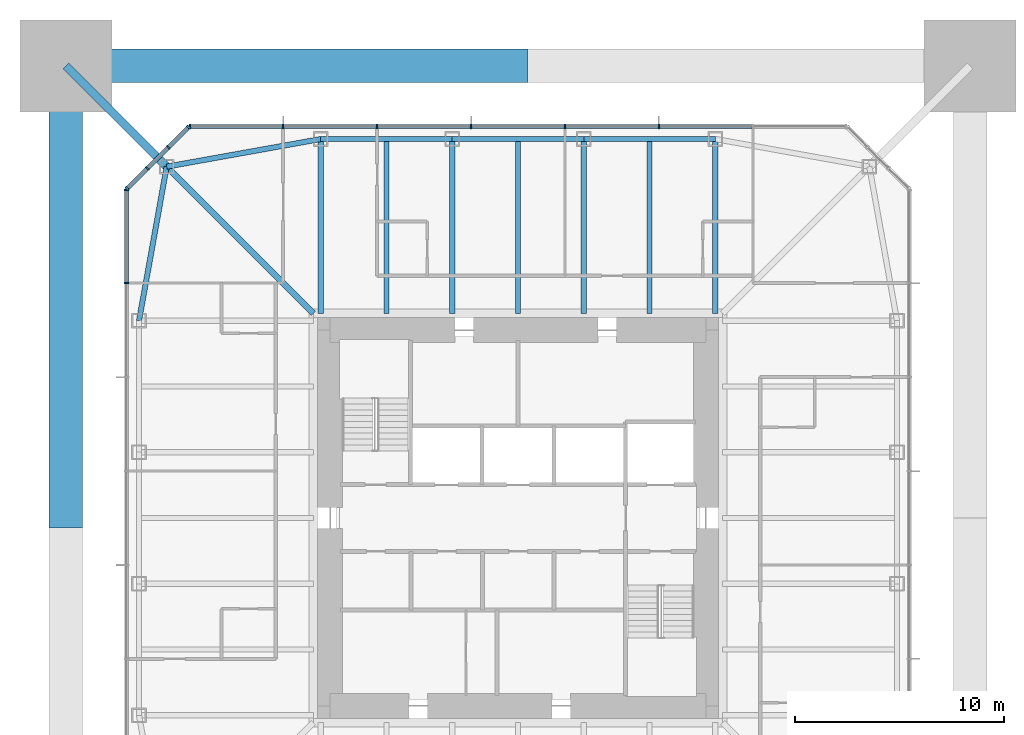
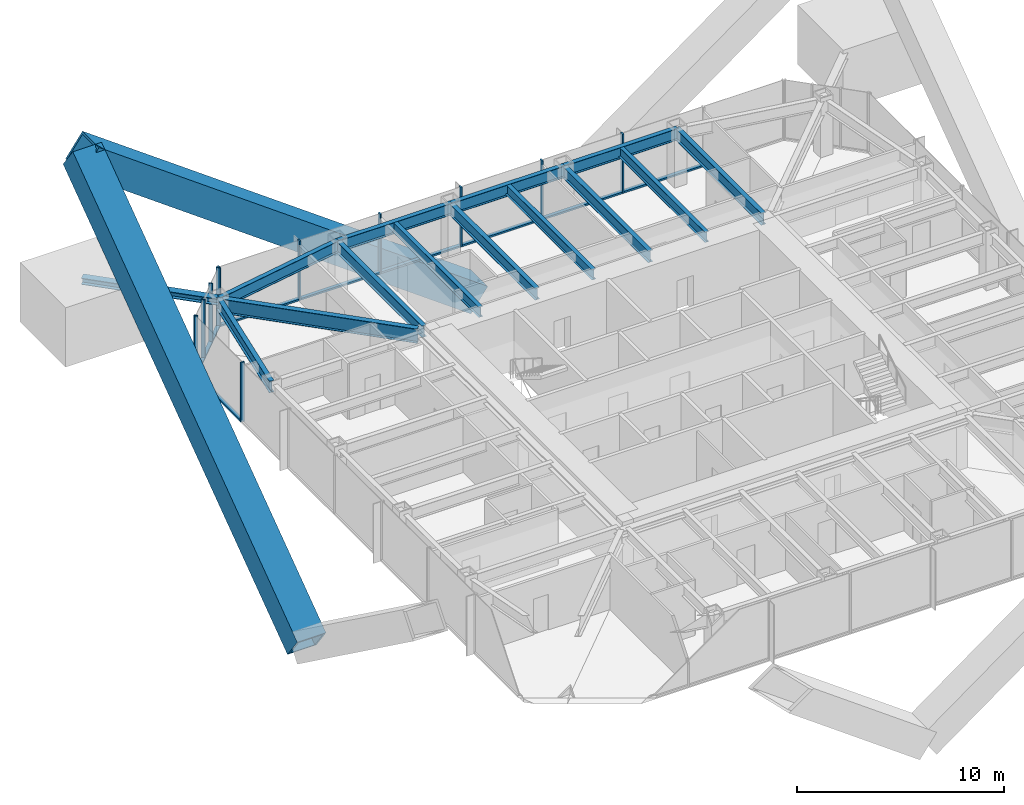
# One storey, part 5 of 13: 25 members, 13 beams, 3 elements without a shape of their own.
"""IFC4 building model written with IfcOpenShell, lengths in metres."""

from ifc_helpers import new_model, si_unit, direction, frame, origin, origin_2d, place, context, subcontext, project, spatial, rectangle, hollow_rectangle, i_section, extrude, material, material_profile, profile_set, type_object, element, aggregate, save


model = new_model("IFC4")

# Units and contexts
model_context = context("Model", 3, precision=1e-05, world=origin(), true_north=direction((0.0, 1.0)))
body_context = subcontext(model_context, "Body", "Model", "MODEL_VIEW")
ifc_project = project(units=[si_unit("LENGTHUNIT", "METRE"), si_unit("AREAUNIT", "SQUARE_METRE"), si_unit("VOLUMEUNIT", "CUBIC_METRE"), si_unit("PLANEANGLEUNIT", "RADIAN"), si_unit("MASSUNIT", "GRAM", prefix="KILO")], contexts=[model_context])

# Site, building, storey
site_placement = place(None, origin())
site = spatial("IfcSite", under=ifc_project, at=site_placement, CompositionType="ELEMENT")
building_placement = place(site_placement, origin())
building = spatial("IfcBuilding", under=site, at=building_placement, Name="Iwan Alto Co-Living Towers", CompositionType="ELEMENT")
storey_placement = place(building_placement, frame((0.0, 0.0, 198.5)))
storey = spatial("IfcBuildingStorey", under=building, at=storey_placement, Name="L54", CompositionType="ELEMENT", Elevation=198.5)

# Curtain wall, members
ifc_material_1 = material(Name="Bronze aluminium unitised frame", Category="aluminium")
curtain_wall_type_1 = type_object("IfcCurtainWallType", Name="CURTAIN WALL CW-A", PredefinedType="NOTDEFINED", material=ifc_material_1)
curtain_wall_1_placement = place(storey_placement, origin())
curtain_wall_1 = element("IfcCurtainWall", 1, at=curtain_wall_1_placement, inside=storey, type_object=curtain_wall_type_1, Name="T1 curtain wall N L54", PredefinedType="NOTDEFINED")
ifc_material_2 = material(Name="Aluminium 6063-T6 bronze anodised", Category="aluminium")
ifc_material_profile_1 = material_profile(ifc_material_2, rectangle(XDim=0.199951171875, YDim=0.080078125, at=origin_2d()), Name="AL 80X200")
ifc_profile_set_1 = profile_set([ifc_material_profile_1], Name="Aluminium 6063-T6 bronze anodised")
member_type_1 = type_object("IfcMemberType", Name="CW-A MULLION 80X200", PredefinedType="MULLION", material=ifc_profile_set_1)
member_1_placement = place(storey_placement, frame((6.75, 18.75, 0.0), z_axis=(0.0, 0.0, 1.0), x_axis=(0.0, -1.0, 0.0)))
member_1 = element("IfcMember", 2, at=member_1_placement, type_object=member_type_1, Name="CW-A mullion 3", PredefinedType="MULLION", context=body_context, shape_type="SweptSolid", body=[
    extrude(rectangle(XDim=0.199951171875, YDim=0.080078125, at=origin_2d()), origin(), (0.0, 0.0, 1.0), 3.5),
])
member_2_placement = place(storey_placement, frame((2.25, 18.75, 0.0), z_axis=(0.0, 0.0, 1.0), x_axis=(0.0, -1.0, 0.0)))
member_2 = element("IfcMember", 3, at=member_2_placement, type_object=member_type_1, Name="CW-A mullion 4", PredefinedType="MULLION", context=body_context, shape_type="SweptSolid", body=[
    extrude(rectangle(XDim=0.199951171875, YDim=0.080078125, at=origin_2d()), origin(), (0.0, 0.0, 1.0), 3.5),
])
member_3_placement = place(storey_placement, frame((-2.25, 18.75, 0.0), z_axis=(0.0, 0.0, 1.0), x_axis=(0.0, -1.0, 0.0)))
member_3 = element("IfcMember", 4, at=member_3_placement, type_object=member_type_1, Name="CW-A mullion 5", PredefinedType="MULLION", context=body_context, shape_type="SweptSolid", body=[
    extrude(rectangle(XDim=0.199951171875, YDim=0.080078125, at=origin_2d()), origin(), (0.0, 0.0, 1.0), 3.5),
])
member_4_placement = place(storey_placement, frame((-6.75, 18.75, 0.0), z_axis=(0.0, 0.0, 1.0), x_axis=(0.0, -1.0, 0.0)))
member_4 = element("IfcMember", 5, at=member_4_placement, type_object=member_type_1, Name="CW-A mullion 6", PredefinedType="MULLION", context=body_context, shape_type="SweptSolid", body=[
    extrude(rectangle(XDim=0.199951171875, YDim=0.080078125, at=origin_2d()), origin(), (0.0, 0.0, 1.0), 3.5),
])
member_5_placement = place(storey_placement, frame((-11.25, 18.75, 0.0), z_axis=(0.0, 0.0, 1.0), x_axis=(0.0, -1.0, 0.0)))
member_5 = element("IfcMember", 6, at=member_5_placement, type_object=member_type_1, Name="CW-A mullion 7", PredefinedType="MULLION", context=body_context, shape_type="SweptSolid", body=[
    extrude(rectangle(XDim=0.199951171875, YDim=0.080078125, at=origin_2d()), origin(), (0.0, 0.0, 1.0), 3.5),
])
member_6_placement = place(storey_placement, frame((-15.7099609375, 18.75, 0.0), z_axis=(0.0, 0.0, 1.0), x_axis=(0.0, -1.0, 0.0)))
member_6 = element("IfcMember", 7, at=member_6_placement, type_object=member_type_1, Name="CW-A mullion 8", PredefinedType="MULLION", context=body_context, shape_type="SweptSolid", body=[
    extrude(rectangle(XDim=0.199951171875, YDim=0.080078125, at=origin_2d()), origin(), (0.0, 0.0, 1.0), 3.5),
])

curtain_wall_2_placement = place(storey_placement, origin())
curtain_wall_2 = element("IfcCurtainWall", 8, at=curtain_wall_2_placement, inside=storey, type_object=curtain_wall_type_1, Name="T1 curtain wall W L54", PredefinedType="NOTDEFINED")
member_7_placement = place(storey_placement, frame((-18.75, 15.7099609375, 0.0), z_axis=(0.0, 0.0, 1.0), x_axis=(1.0, 0.0, 0.0)))
member_7 = element("IfcMember", 9, at=member_7_placement, type_object=member_type_1, Name="CW-A mullion 1", PredefinedType="MULLION", context=body_context, shape_type="SweptSolid", body=[
    extrude(rectangle(XDim=0.199951171875, YDim=0.080078125, at=origin_2d()), origin(), (0.0, 0.0, 1.0), 3.5),
])
member_8_placement = place(storey_placement, frame((-18.75, 11.25, 0.0), z_axis=(0.0, 0.0, 1.0), x_axis=(1.0, 0.0, 0.0)))
member_8 = element("IfcMember", 10, at=member_8_placement, type_object=member_type_1, Name="CW-A mullion 2", PredefinedType="MULLION", context=body_context, shape_type="SweptSolid", body=[
    extrude(rectangle(XDim=0.199951171875, YDim=0.080078125, at=origin_2d()), origin(), (0.0, 0.0, 1.0), 3.5),
])

# Member
ifc_material_3 = material(Name="Aluminium 6063-T6 bronze anodised", Category="aluminium")
ifc_material_profile_2 = material_profile(ifc_material_3, rectangle(XDim=0.199951171875, YDim=0.10009765625, at=origin_2d()), Name="AL 200X100")
ifc_profile_set_2 = profile_set([ifc_material_profile_2], Name="Aluminium 6063-T6 bronze anodised")
member_type_2 = type_object("IfcMemberType", Name="CW-A TRANSOM 200X100", PredefinedType="USERDEFINED", material=ifc_profile_set_2)
member_9_placement = place(storey_placement, frame((11.2099609375, 18.75, 0.050048828125), z_axis=(-1.0, 0.0, 0.0), x_axis=(0.0, -1.0, 0.0)))
member_9 = element("IfcMember", 11, at=member_9_placement, type_object=member_type_2, Name="CW-A transom 2.1", ObjectType="TRANSOM", PredefinedType="USERDEFINED", context=body_context, shape_type="SweptSolid", body=[
    extrude(rectangle(XDim=0.199951171875, YDim=0.10009765625, at=origin_2d()), origin(), (0.0, 0.0, 1.0), 4.419921875),
])

member_10_placement = place(storey_placement, frame((6.7099609375, 18.75, 0.050048828125), z_axis=(-1.0, 0.0, 0.0), x_axis=(0.0, -1.0, 0.0)))
member_10 = element("IfcMember", 12, at=member_10_placement, type_object=member_type_2, Name="CW-A transom 3.1", ObjectType="TRANSOM", PredefinedType="USERDEFINED", context=body_context, shape_type="SweptSolid", body=[
    extrude(rectangle(XDim=0.199951171875, YDim=0.10009765625, at=origin_2d()), origin(), (0.0, 0.0, 1.0), 4.419921875),
])

member_11_placement = place(storey_placement, frame((2.2099609375, 18.75, 0.050048828125), z_axis=(-1.0, 0.0, 0.0), x_axis=(0.0, -1.0, 0.0)))
member_11 = element("IfcMember", 13, at=member_11_placement, type_object=member_type_2, Name="CW-A transom 4.1", ObjectType="TRANSOM", PredefinedType="USERDEFINED", context=body_context, shape_type="SweptSolid", body=[
    extrude(rectangle(XDim=0.199951171875, YDim=0.10009765625, at=origin_2d()), origin(), (0.0, 0.0, 1.0), 4.419921875),
])

member_12_placement = place(storey_placement, frame((-2.2900390625, 18.75, 0.050048828125), z_axis=(-1.0, 0.0, 0.0), x_axis=(0.0, -1.0, 0.0)))
member_12 = element("IfcMember", 14, at=member_12_placement, type_object=member_type_2, Name="CW-A transom 5.1", ObjectType="TRANSOM", PredefinedType="USERDEFINED", context=body_context, shape_type="SweptSolid", body=[
    extrude(rectangle(XDim=0.199951171875, YDim=0.10009765625, at=origin_2d()), origin(), (0.0, 0.0, 1.0), 4.419921875),
])

member_13_placement = place(storey_placement, frame((-6.7900390625, 18.75, 0.050048828125), z_axis=(-1.0, 0.0, 0.0), x_axis=(0.0, -1.0, 0.0)))
member_13 = element("IfcMember", 15, at=member_13_placement, type_object=member_type_2, Name="CW-A transom 6.1", ObjectType="TRANSOM", PredefinedType="USERDEFINED", context=body_context, shape_type="SweptSolid", body=[
    extrude(rectangle(XDim=0.199951171875, YDim=0.10009765625, at=origin_2d()), origin(), (0.0, 0.0, 1.0), 4.419921875),
])

member_14_placement = place(storey_placement, frame((-11.2900390625, 18.75, 0.050048828125), z_axis=(-1.0, 0.0, 0.0), x_axis=(0.0, -1.0, 0.0)))
member_14 = element("IfcMember", 16, at=member_14_placement, type_object=member_type_2, Name="CW-A transom 7.1", ObjectType="TRANSOM", PredefinedType="USERDEFINED", context=body_context, shape_type="SweptSolid", body=[
    extrude(rectangle(XDim=0.199951171875, YDim=0.10009765625, at=origin_2d()), origin(), (0.0, 0.0, 1.0), 4.3798828125),
])

aggregate(curtain_wall_1, [member_1, member_2, member_3, member_4, member_5, member_6, member_9, member_10, member_11, member_12, member_13, member_14])

member_15_placement = place(storey_placement, frame((-18.75, 15.669921875, 0.050048828125), z_axis=(0.0, -1.0, 0.0), x_axis=(1.0, 0.0, 0.0)))
member_15 = element("IfcMember", 17, at=member_15_placement, type_object=member_type_2, Name="CW-A transom 1.1", ObjectType="TRANSOM", PredefinedType="USERDEFINED", context=body_context, shape_type="SweptSolid", body=[
    extrude(rectangle(XDim=0.199951171875, YDim=0.10009765625, at=origin_2d()), origin(), (0.0, 0.0, 1.0), 4.3798828125),
])

aggregate(curtain_wall_2, [member_7, member_8, member_15])

# Curtain wall, members
ifc_material_4 = material(Name="Bronze aluminium unitised frame", Category="aluminium")
curtain_wall_type_2 = type_object("IfcCurtainWallType", Name="CURTAIN WALL CW-B", PredefinedType="NOTDEFINED", material=ifc_material_4)
curtain_wall_3_placement = place(storey_placement, origin())
curtain_wall_3 = element("IfcCurtainWall", 18, at=curtain_wall_3_placement, inside=storey, type_object=curtain_wall_type_2, Name="T1 chamfer curtain wall NW L54", PredefinedType="NOTDEFINED")
ifc_material_5 = material(Name="Aluminium 6063-T6 bronze anodised", Category="aluminium")
ifc_material_profile_3 = material_profile(ifc_material_5, rectangle(XDim=0.199951171875, YDim=0.080078125, at=origin_2d()), Name="AL 80X200")
ifc_profile_set_3 = profile_set([ifc_material_profile_3], Name="Aluminium 6063-T6 bronze anodised")
member_type_3 = type_object("IfcMemberType", Name="CW-B MULLION 80X200", PredefinedType="MULLION", material=ifc_profile_set_3)
member_16_placement = place(storey_placement, frame((-15.7783203125, 18.7216796875, 0.0), z_axis=(0.0, 0.0, 1.0), x_axis=(0.707106781187, -0.707106781187, 0.0)))
member_16 = element("IfcMember", 19, at=member_16_placement, type_object=member_type_3, Name="CW-B mullion 1", PredefinedType="MULLION", context=body_context, shape_type="SweptSolid", body=[
    extrude(rectangle(XDim=0.199951171875, YDim=0.080078125, at=origin_2d()), origin(), (0.0, 0.0, 1.0), 3.5),
])
member_17_placement = place(storey_placement, frame((-16.75, 17.75, 0.0), z_axis=(0.0, 0.0, 1.0), x_axis=(0.707106781187, -0.707106781187, 0.0)))
member_17 = element("IfcMember", 20, at=member_17_placement, type_object=member_type_3, Name="CW-B mullion 2", PredefinedType="MULLION", context=body_context, shape_type="SweptSolid", body=[
    extrude(rectangle(XDim=0.199951171875, YDim=0.080078125, at=origin_2d()), origin(), (0.0, 0.0, 1.0), 3.5),
])
member_18_placement = place(storey_placement, frame((-17.75, 16.75, 0.0), z_axis=(0.0, 0.0, 1.0), x_axis=(0.707106781187, -0.707106781187, 0.0)))
member_18 = element("IfcMember", 21, at=member_18_placement, type_object=member_type_3, Name="CW-B mullion 3", PredefinedType="MULLION", context=body_context, shape_type="SweptSolid", body=[
    extrude(rectangle(XDim=0.199951171875, YDim=0.080078125, at=origin_2d()), origin(), (0.0, 0.0, 1.0), 3.5),
])
member_19_placement = place(storey_placement, frame((-18.7216796875, 15.7783203125, 0.0), z_axis=(0.0, 0.0, 1.0), x_axis=(0.707106781187, -0.707106781187, 0.0)))
member_19 = element("IfcMember", 22, at=member_19_placement, type_object=member_type_3, Name="CW-B mullion 4", PredefinedType="MULLION", context=body_context, shape_type="SweptSolid", body=[
    extrude(rectangle(XDim=0.199951171875, YDim=0.080078125, at=origin_2d()), origin(), (0.0, 0.0, 1.0), 3.5),
])
ifc_material_6 = material(Name="Aluminium 6063-T6 bronze anodised", Category="aluminium")
ifc_material_profile_4 = material_profile(ifc_material_6, rectangle(XDim=0.199951171875, YDim=0.10009765625, at=origin_2d()), Name="AL 200X100")
ifc_profile_set_4 = profile_set([ifc_material_profile_4], Name="Aluminium 6063-T6 bronze anodised")
member_type_4 = type_object("IfcMemberType", Name="CW-B TRANSOM 200X100", PredefinedType="USERDEFINED", material=ifc_profile_set_4)
member_20_placement = place(storey_placement, frame((-15.806640625, 18.693359375, 0.050048828125), z_axis=(-0.707106781187, -0.707106781187, 0.0), x_axis=(0.707106781187, -0.707106781187, 0.0)))
member_20 = element("IfcMember", 23, at=member_20_placement, type_object=member_type_4, Name="CW-B transom 1.1", ObjectType="TRANSOM", PredefinedType="USERDEFINED", context=body_context, shape_type="SweptSolid", body=[
    extrude(rectangle(XDim=0.199951171875, YDim=0.10009765625, at=origin_2d()), origin(), (0.0, 0.0, 1.0), 1.2939453125),
])
member_21_placement = place(storey_placement, frame((-16.7783203125, 17.7216796875, 0.050048828125), z_axis=(-0.707106781187, -0.707106781187, 0.0), x_axis=(0.707106781187, -0.707106781187, 0.0)))
member_21 = element("IfcMember", 24, at=member_21_placement, type_object=member_type_4, Name="CW-B transom 2.1", ObjectType="TRANSOM", PredefinedType="USERDEFINED", context=body_context, shape_type="SweptSolid", body=[
    extrude(rectangle(XDim=0.199951171875, YDim=0.10009765625, at=origin_2d()), origin(), (0.0, 0.0, 1.0), 1.334228515625),
])
member_22_placement = place(storey_placement, frame((-17.7783203125, 16.7216796875, 0.050048828125), z_axis=(-0.707106781187, -0.707106781187, 0.0), x_axis=(0.707106781187, -0.707106781187, 0.0)))
member_22 = element("IfcMember", 25, at=member_22_placement, type_object=member_type_4, Name="CW-B transom 3.1", ObjectType="TRANSOM", PredefinedType="USERDEFINED", context=body_context, shape_type="SweptSolid", body=[
    extrude(rectangle(XDim=0.199951171875, YDim=0.10009765625, at=origin_2d()), origin(), (0.0, 0.0, 1.0), 1.2939453125),
])
aggregate(curtain_wall_3, [member_16, member_17, member_18, member_19, member_20, member_21, member_22])

# Beams
ifc_material_7 = material(Name="Steel ASTM A992 Gr 50", Category="steel")
ifc_material_profile_5 = material_profile(ifc_material_7, i_section(OverallWidth=0.2919921875, OverallDepth=0.8408203125, WebThickness=0.0146484375, FlangeThickness=0.021728515625, at=origin_2d()), Name="W33X130")
ifc_profile_set_5 = profile_set([ifc_material_profile_5], Name="Steel ASTM A992 Gr 50")
beam_type_1 = type_object("IfcBeamType", Name="T1 CORNER GIRDER W33X130", PredefinedType="BEAM", material=ifc_profile_set_5)
beam_1_placement = place(storey_placement, frame((-16.82568359375, 16.82568359375, 2.849609375), z_axis=(0.707106781187, -0.707106781187, 0.0), x_axis=(0.707106781187, 0.707106781187, 0.0)))
element("IfcBeam", 26, at=beam_1_placement, inside=storey, type_object=beam_type_1, Name="T1 corner girder CNW L55", PredefinedType="BEAM", context=body_context, shape_type="SweptSolid", body=[
    extrude(i_section(OverallWidth=0.2919921875, OverallDepth=0.8408203125, WebThickness=0.0146484375, FlangeThickness=0.021728515625, at=origin_2d()), origin(), (0.0, 0.0, 1.0), 9.936767578125),
])
ifc_material_8 = material(Name="Steel ASTM A992 Gr 50", Category="steel")
ifc_material_profile_6 = material_profile(ifc_material_8, i_section(OverallWidth=0.25390625, OverallDepth=0.683349609375, WebThickness=0.012451171875, FlangeThickness=0.018798828125, at=origin_2d()), Name="W27X94")
ifc_profile_set_6 = profile_set([ifc_material_profile_6], Name="Steel ASTM A992 Gr 50")
beam_type_2 = type_object("IfcBeamType", Name="T1 EDGE BEAM W27X94", PredefinedType="BEAM", material=ifc_profile_set_6)
beam_2_placement = place(storey_placement, frame((9.449951171875, 18.14990234375, 2.928466796875), z_axis=(-1.0, 0.0, 0.0), x_axis=(0.0, -1.0, 0.0)))
element("IfcBeam", 27, at=beam_2_placement, inside=storey, type_object=beam_type_2, Name="T1 edge beam N1 L55", PredefinedType="BEAM", context=body_context, shape_type="SweptSolid", body=[
    extrude(i_section(OverallWidth=0.25390625, OverallDepth=0.683349609375, WebThickness=0.012451171875, FlangeThickness=0.018798828125, at=origin_2d()), origin(), (0.0, 0.0, 1.0), 6.300048828125),
])
beam_3_placement = place(storey_placement, frame((3.14990234375, 18.14990234375, 2.928466796875), z_axis=(-1.0, 0.0, 0.0), x_axis=(0.0, -1.0, 0.0)))
element("IfcBeam", 28, at=beam_3_placement, inside=storey, type_object=beam_type_2, Name="T1 edge beam N2 L55", PredefinedType="BEAM", context=body_context, shape_type="SweptSolid", body=[
    extrude(i_section(OverallWidth=0.25390625, OverallDepth=0.683349609375, WebThickness=0.012451171875, FlangeThickness=0.018798828125, at=origin_2d()), origin(), (0.0, 0.0, 1.0), 6.2998046875),
])
beam_4_placement = place(storey_placement, frame((-3.14990234375, 18.14990234375, 2.928466796875), z_axis=(-1.0, 0.0, 0.0), x_axis=(0.0, -1.0, 0.0)))
element("IfcBeam", 29, at=beam_4_placement, inside=storey, type_object=beam_type_2, Name="T1 edge beam N3 L55", PredefinedType="BEAM", context=body_context, shape_type="SweptSolid", body=[
    extrude(i_section(OverallWidth=0.25390625, OverallDepth=0.683349609375, WebThickness=0.012451171875, FlangeThickness=0.018798828125, at=origin_2d()), origin(), (0.0, 0.0, 1.0), 6.300048828125),
])
for number, where, z_axis, x_axis, name in (
    (30, (-9.449951171875, 18.14990234375, 2.928466796875), (-0.98426263553, -0.17671181143, 0.0), (0.17671181143, -0.98426263553, 0.0), "T1 edge beam N4 L55"),
    (31, (-16.82568359375, 16.82568359375, 2.928466796875), (-0.17671181143, -0.98426263553, 0.0), (0.98426263553, -0.17671181143, 0.0), "T1 edge beam CNW L55"),
):
    element("IfcBeam", number, at=place(storey_placement, frame(where, z_axis=z_axis, x_axis=x_axis)), inside=storey, type_object=beam_type_2, Name=name, PredefinedType="BEAM", context=body_context, shape_type="SweptSolid", body=[
        extrude(i_section(OverallWidth=0.25390625, OverallDepth=0.683349609375, WebThickness=0.012451171875, FlangeThickness=0.018798828125, at=origin_2d()), origin(), (0.0, 0.0, 1.0), 7.49365234375),
    ])

# Members
ifc_material_9 = material(Name="Steel ASTM A572 Gr 42", Category="steel")
ifc_material_profile_7 = material_profile(ifc_material_9, hollow_rectangle(XDim=1.60009765625, YDim=1.60009765625, WallThickness=0.1201171875, at=origin_2d()), Name="BOX 1600X1600X120")
ifc_profile_set_7 = profile_set([ifc_material_profile_7], Name="Steel ASTM A572 Gr 42")
member_type_5 = type_object("IfcMemberType", Name="T1 MEGA BRACE BOX 1600X1600X120", PredefinedType="BRACE", material=ifc_profile_set_7)
for number, where, z_axis, x_axis, name in (
    (32, (0.0, 21.64990234375, -5.25), (-0.808654054795, 0.0, 0.588284471717), (0.0, -1.0, 0.0), "T1 mega brace Z3B N 1 upper"),
    (33, (-21.64990234375, 0.0, -5.25), (0.0, 0.808654054795, 0.588284471717), (-1.0, 0.0, 0.0), "T1 mega brace Z3B W 2 upper"),
):
    element("IfcMember", number, at=place(storey_placement, frame(where, z_axis=z_axis, x_axis=x_axis)), inside=storey, type_object=member_type_5, Name=name, PredefinedType="BRACE", context=body_context, shape_type="SweptSolid", body=[
        extrude(hollow_rectangle(XDim=1.60009765625, YDim=1.60009765625, WallThickness=0.1201171875, at=origin_2d()), origin(), (0.0, 0.0, 1.0), 26.772705078125),
    ])
ifc_material_10 = material(Name="Steel ASTM A992 Gr 50", Category="steel")
ifc_material_profile_8 = material_profile(ifc_material_10, i_section(OverallWidth=0.393798828125, OverallDepth=0.3759765625, WebThickness=0.017333984375, FlangeThickness=0.027587890625, at=origin_2d()), Name="W14X145")
ifc_profile_set_8 = profile_set([ifc_material_profile_8], Name="Steel ASTM A992 Gr 50")
member_type_6 = type_object("IfcMemberType", Name="T1 MEGA COLUMN FLOOR TIE W14X145", PredefinedType="STRUT", material=ifc_profile_set_8)
member_23_placement = place(storey_placement, frame((-21.64990234375, 21.64990234375, 3.08203125), z_axis=(0.707106781187, -0.707106781187, 0.0), x_axis=(0.707106781187, 0.707106781187, 0.0)))
element("IfcMember", 34, at=member_23_placement, inside=storey, type_object=member_type_6, Name="T1 mega column floor tie NW L55", PredefinedType="STRUT", context=body_context, shape_type="SweptSolid", body=[
    extrude(i_section(OverallWidth=0.393798828125, OverallDepth=0.3759765625, WebThickness=0.017333984375, FlangeThickness=0.027587890625, at=origin_2d()), origin(), (0.0, 0.0, 1.0), 6.822509765625),
])

# Beams
ifc_material_11 = material(Name="Steel ASTM A992 Gr 50", Category="steel")
ifc_material_profile_9 = material_profile(ifc_material_11, i_section(OverallWidth=0.25390625, OverallDepth=0.683349609375, WebThickness=0.012451171875, FlangeThickness=0.018798828125, at=origin_2d()), Name="W27X94")
ifc_profile_set_9 = profile_set([ifc_material_profile_9], Name="Steel ASTM A992 Gr 50")
beam_type_3 = type_object("IfcBeamType", Name="T1 RADIAL BEAM W27X94", PredefinedType="BEAM", material=ifc_profile_set_9)
for number, where, z_axis, x_axis, name in (
    (35, (9.449951171875, 18.14990234375, 2.928466796875), (0.0, -1.0, 0.0), (1.0, 0.0, 0.0), "T1 radial beam N1 L55"),
    (36, (3.14990234375, 18.14990234375, 2.928466796875), (0.0, -1.0, 0.0), (1.0, 0.0, 0.0), "T1 radial beam N2 L55"),
    (37, (-3.14990234375, 18.14990234375, 2.928466796875), (0.0, -1.0, 0.0), (1.0, 0.0, 0.0), "T1 radial beam N3 L55"),
    (38, (-9.449951171875, 18.14990234375, 2.928466796875), (0.0, -1.0, 0.0), (1.0, 0.0, 0.0), "T1 radial beam N4 L55"),
):
    element("IfcBeam", number, at=place(storey_placement, frame(where, z_axis=z_axis, x_axis=x_axis)), inside=storey, type_object=beam_type_3, Name=name, PredefinedType="BEAM", context=body_context, shape_type="SweptSolid", body=[
        extrude(i_section(OverallWidth=0.25390625, OverallDepth=0.683349609375, WebThickness=0.012451171875, FlangeThickness=0.018798828125, at=origin_2d()), origin(), (0.0, 0.0, 1.0), 8.3505859375),
    ])
ifc_material_12 = material(Name="Steel ASTM A992 Gr 50", Category="steel")
ifc_material_profile_10 = material_profile(ifc_material_12, i_section(OverallWidth=0.228271484375, OverallDepth=0.607177734375, WebThickness=0.01123046875, FlangeThickness=0.017333984375, at=origin_2d()), Name="W24X76")
ifc_profile_set_10 = profile_set([ifc_material_profile_10], Name="Steel ASTM A992 Gr 50")
beam_type_4 = type_object("IfcBeamType", Name="T1 SECONDARY BEAM W24X76", PredefinedType="JOIST", material=ifc_profile_set_10)
for number, where, z_axis, x_axis, name in (
    (39, (6.300048828125, 18.14990234375, 2.966552734375), (0.0, -1.0, 0.0), (1.0, 0.0, 0.0), "T1 secondary beam N1 L55"),
    (40, (0.0, 18.14990234375, 2.966552734375), (0.0, -1.0, 0.0), (1.0, 0.0, 0.0), "T1 secondary beam N2 L55"),
    (41, (-6.300048828125, 18.14990234375, 2.966552734375), (0.0, -1.0, 0.0), (1.0, 0.0, 0.0), "T1 secondary beam N3 L55"),
):
    element("IfcBeam", number, at=place(storey_placement, frame(where, z_axis=z_axis, x_axis=x_axis)), inside=storey, type_object=beam_type_4, Name=name, PredefinedType="JOIST", context=body_context, shape_type="SweptSolid", body=[
        extrude(i_section(OverallWidth=0.228271484375, OverallDepth=0.607177734375, WebThickness=0.01123046875, FlangeThickness=0.017333984375, at=origin_2d()), origin(), (0.0, 0.0, 1.0), 8.3505859375),
    ])

save(model, "model.ifc")
